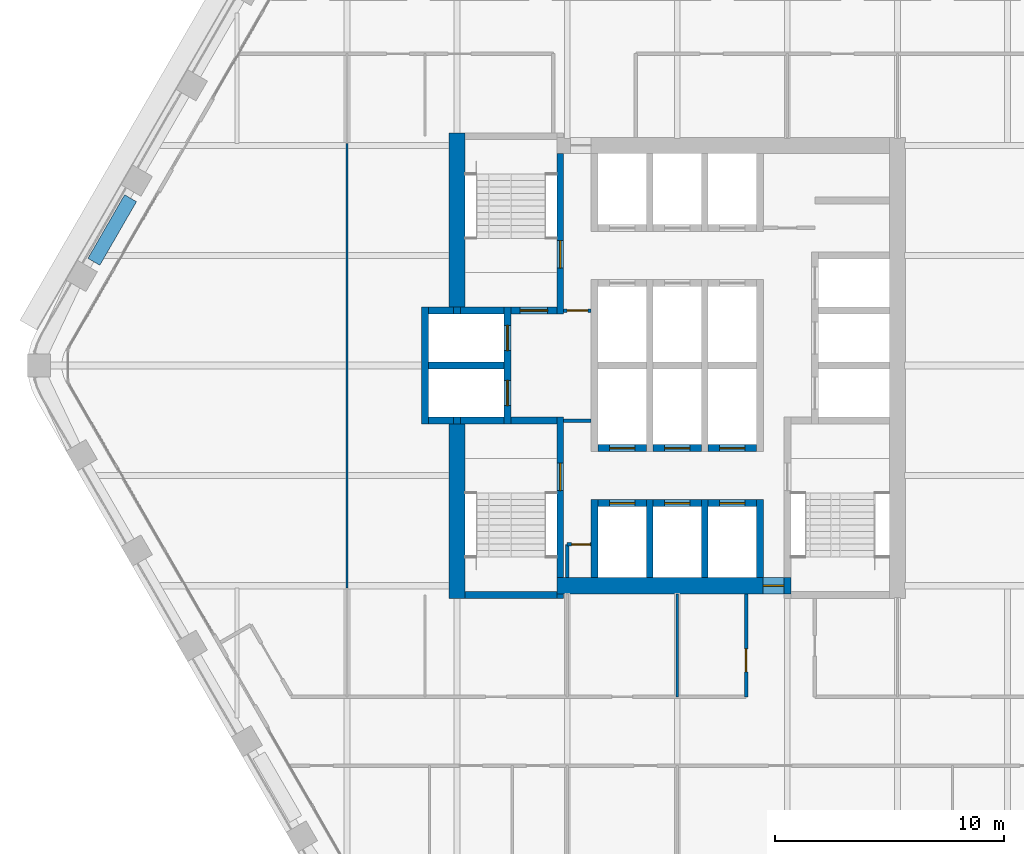
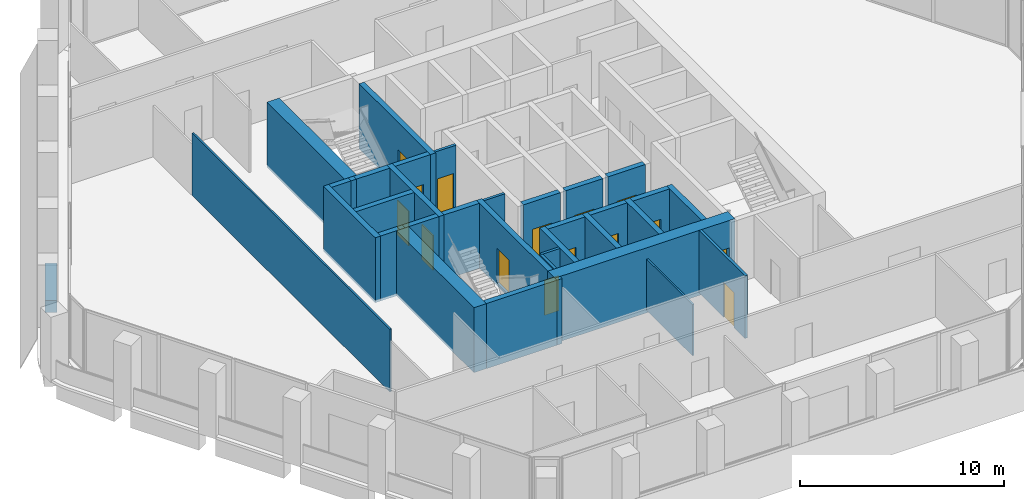
# One storey, part 9 of 15: 36 walls, 15 doors, 15 openings.
"""IFC4 building model written with IfcOpenShell, lengths in metres."""

from ifc_helpers import new_model, si_unit, direction, frame, frame_2d, origin, place, context, subcontext, project, spatial, rectangle, extrude, material, layer, layer_set, type_object, element, fill, save


model = new_model("IFC4")

# Units and contexts
model_context = context("Model", 3, precision=1e-05, world=origin(), true_north=direction((0.0, 1.0)))
body_context = subcontext(model_context, "Body", "Model", "MODEL_VIEW")
ifc_project = project(units=[si_unit("LENGTHUNIT", "METRE"), si_unit("AREAUNIT", "SQUARE_METRE"), si_unit("VOLUMEUNIT", "CUBIC_METRE"), si_unit("PLANEANGLEUNIT", "RADIAN"), si_unit("MASSUNIT", "GRAM", prefix="KILO")], contexts=[model_context])

# Site, building, storey
site_placement = place(None, origin())
site = spatial("IfcSite", under=ifc_project, at=site_placement, CompositionType="ELEMENT")
building_placement = place(site_placement, origin())
building = spatial("IfcBuilding", under=site, at=building_placement, Name="Kolab Exchange Tower", CompositionType="ELEMENT")
storey_placement = place(building_placement, frame((0.0, 0.0, 205.10009765625)))
storey = spatial("IfcBuildingStorey", under=building, at=storey_placement, Name="L44", CompositionType="ELEMENT", Elevation=205.10009765625)

# Wall, opening, door
ifc_material_1 = material(Name="Concrete C60/75", Category="concrete")
ifc_layer_1 = layer(ifc_material_1, 0.699951171875)
ifc_layer_set_1 = layer_set([ifc_layer_1], Name="Concrete C60/75")
wall_type_1 = type_object("IfcWallType", Name="CORE WALL 700 C60/75", PredefinedType="SHEAR", material=ifc_layer_set_1)
wall_1_placement = place(storey_placement, frame((-5.25, -9.60009765625, -0.150146484375), z_axis=(0.0, 0.0, 1.0), x_axis=(1.0, 0.0, 0.0)))
wall_1 = element("IfcWall", 1, at=wall_1_placement, inside=storey, type_object=wall_type_1, Name="wall/L44/core/002", PredefinedType="SHEAR", context=body_context, shape_type="SweptSolid", body=[
    extrude(rectangle(XDim=10.199951171875, YDim=0.699951171875, at=frame_2d((5.10009765625, 0.0))), origin(), (0.0, 0.0, 1.0), 3.900146484375),
])
opening_1_placement = place(wall_1_placement, frame((9.0, 0.0, 0.14990234375)))
opening_1 = element("IfcOpeningElement", 2, at=opening_1_placement, cuts=wall_1, Name="Opening D6-287", PredefinedType="OPENING", context=body_context, shape_type="SweptSolid", body=[
    extrude(rectangle(XDim=0.89990234375, YDim=2.10009765625, at=frame_2d((0.449951171875, 1.050048828125))), frame((0.0, 0.35986328125, 0.0), z_axis=(0.0, -1.0, 0.0), x_axis=(1.0, 0.0, 0.0)), (0.0, 0.0, 1.0), 0.719970703125),
])
ifc_material_2 = material(Name="Steel S235", Category="steel")
door_type_1 = type_object("IfcDoorType", Name="CORE DOOR 900 EI 120", OperationType="SINGLE_SWING_LEFT", PredefinedType="DOOR", material=ifc_material_2)
door_1_placement = place(opening_1_placement, origin())
door_1 = element("IfcDoor", 3, at=door_1_placement, inside=storey, type_object=door_type_1, Name="Core lobby door", OperationType="SINGLE_SWING_LEFT", OverallHeight=2.10009765625, OverallWidth=0.89990234375, PredefinedType="DOOR", context=body_context, shape_type="SweptSolid", body=[
    extrude(rectangle(XDim=0.89990234375, YDim=2.10009765625, at=frame_2d((0.449951171875, 1.050048828125))), frame((0.0, 0.02490234375, 0.0), z_axis=(0.0, -1.0, 0.0), x_axis=(1.0, 0.0, 0.0)), (0.0, 0.0, 1.0), 0.050048828125),
])
fill(opening_1, door_1)

# Walls
for number, where, z_axis, x_axis, name in (
    (4, (-9.60009765625, -10.14990234375, -0.150146484375), (0.0, 0.0, 1.0), (0.0, 1.0, 0.0), "wall/L44/core/034"),
    (5, (-9.60009765625, 2.550048828125, -0.150146484375), (0.0, 0.0, 1.0), (0.0, 1.0, 0.0), "wall/L44/core/037"),
):
    element("IfcWall", number, at=place(storey_placement, frame(where, z_axis=z_axis, x_axis=x_axis)), inside=storey, type_object=wall_type_1, Name=name, PredefinedType="SHEAR", context=body_context, shape_type="SweptSolid", body=[
        extrude(rectangle(XDim=7.599853515625, YDim=0.699951171875, at=frame_2d((3.7998046875, 0.0))), origin(), (0.0, 0.0, 1.0), 3.900146484375),
    ])

# Wall, opening, door
ifc_material_3 = material(Name="Concrete C50/60", Category="concrete")
ifc_layer_2 = layer(ifc_material_3, 0.300048828125)
ifc_layer_set_2 = layer_set([ifc_layer_2], Name="Concrete C50/60")
wall_type_2 = type_object("IfcWallType", Name="LIFT SHAFT WALL 300 C50/60", PredefinedType="STANDARD", material=ifc_layer_set_2)
wall_2_placement = place(storey_placement, frame((-3.449951171875, -6.0, -0.150146484375), z_axis=(0.0, 0.0, 1.0), x_axis=(1.0, 0.0, 0.0)))
wall_2 = element("IfcWall", 6, at=wall_2_placement, inside=storey, type_object=wall_type_2, Name="wall/L44/core/003", PredefinedType="STANDARD", context=body_context, shape_type="SweptSolid", body=[
    extrude(rectangle(XDim=2.099853515625, YDim=0.300048828125, at=frame_2d((1.0498046875, 0.0))), origin(), (0.0, 0.0, 1.0), 3.900146484375),
])
opening_2_placement = place(wall_2_placement, frame((0.5, 0.0, 0.14990234375)))
opening_2 = element("IfcOpeningElement", 7, at=opening_2_placement, cuts=wall_2, Name="Opening LD1-110", PredefinedType="OPENING", context=body_context, shape_type="SweptSolid", body=[
    extrude(rectangle(XDim=1.10009765625, YDim=2.10009765625, at=frame_2d((0.550048828125, 1.050048828125))), frame((0.0, 0.16015625, 0.0), z_axis=(0.0, -1.0, 0.0), x_axis=(1.0, 0.0, 0.0)), (0.0, 0.0, 1.0), 0.320068359375),
])
ifc_material_4 = material(Name="Stainless steel 316", Category="steel")
door_type_2 = type_object("IfcDoorType", Name="LANDING DOOR 1100 PASSENGER", OperationType="DOUBLE_DOOR_SLIDING", PredefinedType="DOOR", material=ifc_material_4)
door_2_placement = place(opening_2_placement, origin())
door_2 = element("IfcDoor", 8, at=door_2_placement, inside=storey, type_object=door_type_2, Name="Landing door HR10", OperationType="DOUBLE_DOOR_SLIDING", OverallHeight=2.10009765625, OverallWidth=1.10009765625, PredefinedType="DOOR", context=body_context, shape_type="SweptSolid", body=[
    extrude(rectangle(XDim=1.10009765625, YDim=2.10009765625, at=frame_2d((0.550048828125, 1.050048828125))), frame((0.0, 0.02490234375, 0.0), z_axis=(0.0, -1.0, 0.0), x_axis=(1.0, 0.0, 0.0)), (0.0, 0.0, 1.0), 0.050048828125),
])
fill(opening_2, door_2)

wall_3_placement = place(storey_placement, frame((-1.050048828125, -6.0, -0.150146484375), z_axis=(0.0, 0.0, 1.0), x_axis=(1.0, 0.0, 0.0)))
wall_3 = element("IfcWall", 9, at=wall_3_placement, inside=storey, type_object=wall_type_2, Name="wall/L44/core/004", PredefinedType="STANDARD", context=body_context, shape_type="SweptSolid", body=[
    extrude(rectangle(XDim=2.10009765625, YDim=0.300048828125, at=frame_2d((1.050048828125, 0.0))), origin(), (0.0, 0.0, 1.0), 3.900146484375),
])
opening_3_placement = place(wall_3_placement, frame((0.5, 0.0, 0.14990234375)))
opening_3 = element("IfcOpeningElement", 10, at=opening_3_placement, cuts=wall_3, Name="Opening LD1-111", PredefinedType="OPENING", context=body_context, shape_type="SweptSolid", body=[
    extrude(rectangle(XDim=1.10009765625, YDim=2.10009765625, at=frame_2d((0.550048828125, 1.050048828125))), frame((0.0, 0.16015625, 0.0), z_axis=(0.0, -1.0, 0.0), x_axis=(1.0, 0.0, 0.0)), (0.0, 0.0, 1.0), 0.320068359375),
])
door_3_placement = place(opening_3_placement, origin())
door_3 = element("IfcDoor", 11, at=door_3_placement, inside=storey, type_object=door_type_2, Name="Landing door HR11", OperationType="DOUBLE_DOOR_SLIDING", OverallHeight=2.10009765625, OverallWidth=1.10009765625, PredefinedType="DOOR", context=body_context, shape_type="SweptSolid", body=[
    extrude(rectangle(XDim=1.10009765625, YDim=2.10009765625, at=frame_2d((0.550048828125, 1.050048828125))), frame((0.0, 0.02490234375, 0.0), z_axis=(0.0, -1.0, 0.0), x_axis=(1.0, 0.0, 0.0)), (0.0, 0.0, 1.0), 0.050048828125),
])
fill(opening_3, door_3)

wall_4_placement = place(storey_placement, frame((1.35009765625, -6.0, -0.150146484375), z_axis=(0.0, 0.0, 1.0), x_axis=(1.0, 0.0, 0.0)))
wall_4 = element("IfcWall", 12, at=wall_4_placement, inside=storey, type_object=wall_type_2, Name="wall/L44/core/005", PredefinedType="STANDARD", context=body_context, shape_type="SweptSolid", body=[
    extrude(rectangle(XDim=2.099853515625, YDim=0.300048828125, at=frame_2d((1.0498046875, 0.0))), origin(), (0.0, 0.0, 1.0), 3.900146484375),
])
opening_4_placement = place(wall_4_placement, frame((0.5, 0.0, 0.14990234375)))
opening_4 = element("IfcOpeningElement", 13, at=opening_4_placement, cuts=wall_4, Name="Opening LD1-112", PredefinedType="OPENING", context=body_context, shape_type="SweptSolid", body=[
    extrude(rectangle(XDim=1.10009765625, YDim=2.10009765625, at=frame_2d((0.550048828125, 1.050048828125))), frame((0.0, 0.16015625, 0.0), z_axis=(0.0, -1.0, 0.0), x_axis=(1.0, 0.0, 0.0)), (0.0, 0.0, 1.0), 0.320068359375),
])
door_4_placement = place(opening_4_placement, origin())
door_4 = element("IfcDoor", 14, at=door_4_placement, inside=storey, type_object=door_type_2, Name="Landing door HR12", OperationType="DOUBLE_DOOR_SLIDING", OverallHeight=2.10009765625, OverallWidth=1.10009765625, PredefinedType="DOOR", context=body_context, shape_type="SweptSolid", body=[
    extrude(rectangle(XDim=1.10009765625, YDim=2.10009765625, at=frame_2d((0.550048828125, 1.050048828125))), frame((0.0, 0.02490234375, 0.0), z_axis=(0.0, -1.0, 0.0), x_axis=(1.0, 0.0, 0.0)), (0.0, 0.0, 1.0), 0.050048828125),
])
fill(opening_4, door_4)

wall_5_placement = place(storey_placement, frame((-3.449951171875, -3.60009765625, -0.150146484375), z_axis=(0.0, 0.0, 1.0), x_axis=(1.0, 0.0, 0.0)))
wall_5 = element("IfcWall", 15, at=wall_5_placement, inside=storey, type_object=wall_type_2, Name="wall/L44/core/006", PredefinedType="STANDARD", context=body_context, shape_type="SweptSolid", body=[
    extrude(rectangle(XDim=2.099853515625, YDim=0.300048828125, at=frame_2d((1.0498046875, 0.0))), origin(), (0.0, 0.0, 1.0), 3.900146484375),
])
opening_5_placement = place(wall_5_placement, frame((0.5, 0.0, 0.14990234375)))
opening_5 = element("IfcOpeningElement", 16, at=opening_5_placement, cuts=wall_5, Name="Opening LD1-118", PredefinedType="OPENING", context=body_context, shape_type="SweptSolid", body=[
    extrude(rectangle(XDim=1.10009765625, YDim=2.10009765625, at=frame_2d((0.550048828125, 1.050048828125))), frame((0.0, 0.16015625, 0.0), z_axis=(0.0, -1.0, 0.0), x_axis=(1.0, 0.0, 0.0)), (0.0, 0.0, 1.0), 0.320068359375),
])
door_5_placement = place(opening_5_placement, origin())
door_5 = element("IfcDoor", 17, at=door_5_placement, inside=storey, type_object=door_type_2, Name="Landing door HR7", OperationType="DOUBLE_DOOR_SLIDING", OverallHeight=2.10009765625, OverallWidth=1.10009765625, PredefinedType="DOOR", context=body_context, shape_type="SweptSolid", body=[
    extrude(rectangle(XDim=1.10009765625, YDim=2.10009765625, at=frame_2d((0.550048828125, 1.050048828125))), frame((0.0, 0.02490234375, 0.0), z_axis=(0.0, -1.0, 0.0), x_axis=(1.0, 0.0, 0.0)), (0.0, 0.0, 1.0), 0.050048828125),
])
fill(opening_5, door_5)

wall_6_placement = place(storey_placement, frame((-1.050048828125, -3.60009765625, -0.150146484375), z_axis=(0.0, 0.0, 1.0), x_axis=(1.0, 0.0, 0.0)))
wall_6 = element("IfcWall", 18, at=wall_6_placement, inside=storey, type_object=wall_type_2, Name="wall/L44/core/007", PredefinedType="STANDARD", context=body_context, shape_type="SweptSolid", body=[
    extrude(rectangle(XDim=2.10009765625, YDim=0.300048828125, at=frame_2d((1.050048828125, 0.0))), origin(), (0.0, 0.0, 1.0), 3.900146484375),
])
opening_6_placement = place(wall_6_placement, frame((0.5, 0.0, 0.14990234375)))
opening_6 = element("IfcOpeningElement", 19, at=opening_6_placement, cuts=wall_6, Name="Opening LD1-119", PredefinedType="OPENING", context=body_context, shape_type="SweptSolid", body=[
    extrude(rectangle(XDim=1.10009765625, YDim=2.10009765625, at=frame_2d((0.550048828125, 1.050048828125))), frame((0.0, 0.16015625, 0.0), z_axis=(0.0, -1.0, 0.0), x_axis=(1.0, 0.0, 0.0)), (0.0, 0.0, 1.0), 0.320068359375),
])
door_6_placement = place(opening_6_placement, origin())
door_6 = element("IfcDoor", 20, at=door_6_placement, inside=storey, type_object=door_type_2, Name="Landing door HR8", OperationType="DOUBLE_DOOR_SLIDING", OverallHeight=2.10009765625, OverallWidth=1.10009765625, PredefinedType="DOOR", context=body_context, shape_type="SweptSolid", body=[
    extrude(rectangle(XDim=1.10009765625, YDim=2.10009765625, at=frame_2d((0.550048828125, 1.050048828125))), frame((0.0, 0.02490234375, 0.0), z_axis=(0.0, -1.0, 0.0), x_axis=(1.0, 0.0, 0.0)), (0.0, 0.0, 1.0), 0.050048828125),
])
fill(opening_6, door_6)

wall_7_placement = place(storey_placement, frame((1.35009765625, -3.60009765625, -0.150146484375), z_axis=(0.0, 0.0, 1.0), x_axis=(1.0, 0.0, 0.0)))
wall_7 = element("IfcWall", 21, at=wall_7_placement, inside=storey, type_object=wall_type_2, Name="wall/L44/core/008", PredefinedType="STANDARD", context=body_context, shape_type="SweptSolid", body=[
    extrude(rectangle(XDim=2.099853515625, YDim=0.300048828125, at=frame_2d((1.0498046875, 0.0))), origin(), (0.0, 0.0, 1.0), 3.900146484375),
])
opening_7_placement = place(wall_7_placement, frame((0.5, 0.0, 0.14990234375)))
opening_7 = element("IfcOpeningElement", 22, at=opening_7_placement, cuts=wall_7, Name="Opening LD1-120", PredefinedType="OPENING", context=body_context, shape_type="SweptSolid", body=[
    extrude(rectangle(XDim=1.10009765625, YDim=2.10009765625, at=frame_2d((0.550048828125, 1.050048828125))), frame((0.0, 0.16015625, 0.0), z_axis=(0.0, -1.0, 0.0), x_axis=(1.0, 0.0, 0.0)), (0.0, 0.0, 1.0), 0.320068359375),
])
door_7_placement = place(opening_7_placement, origin())
door_7 = element("IfcDoor", 23, at=door_7_placement, inside=storey, type_object=door_type_2, Name="Landing door HR9", OperationType="DOUBLE_DOOR_SLIDING", OverallHeight=2.10009765625, OverallWidth=1.10009765625, PredefinedType="DOOR", context=body_context, shape_type="SweptSolid", body=[
    extrude(rectangle(XDim=1.10009765625, YDim=2.10009765625, at=frame_2d((0.550048828125, 1.050048828125))), frame((0.0, 0.02490234375, 0.0), z_axis=(0.0, -1.0, 0.0), x_axis=(1.0, 0.0, 0.0)), (0.0, 0.0, 1.0), 0.050048828125),
])
fill(opening_7, door_7)

# Walls
wall_8_placement = place(storey_placement, frame((-10.85009765625, -2.39990234375, -0.150146484375), z_axis=(0.0, 0.0, 1.0), x_axis=(1.0, 0.0, 0.0)))
element("IfcWall", 24, at=wall_8_placement, inside=storey, type_object=wall_type_2, Name="wall/L44/core/009", PredefinedType="STANDARD", context=body_context, shape_type="SweptSolid", body=[
    extrude(rectangle(XDim=1.10009765625, YDim=0.300048828125, at=frame_2d((0.550048828125, 0.0))), origin(), (0.0, 0.0, 1.0), 3.900146484375),
])
wall_9_placement = place(storey_placement, frame((-10.85009765625, 0.0, -0.150146484375), z_axis=(0.0, 0.0, 1.0), x_axis=(1.0, 0.0, 0.0)))
element("IfcWall", 25, at=wall_9_placement, inside=storey, type_object=wall_type_2, Name="wall/L44/core/014", PredefinedType="STANDARD", context=body_context, shape_type="SweptSolid", body=[
    extrude(rectangle(XDim=3.300048828125, YDim=0.300048828125, at=frame_2d((1.64990234375, 0.0))), origin(), (0.0, 0.0, 1.0), 3.900146484375),
])
wall_10_placement = place(storey_placement, frame((-10.85009765625, 2.39990234375, -0.150146484375), z_axis=(0.0, 0.0, 1.0), x_axis=(1.0, 0.0, 0.0)))
element("IfcWall", 26, at=wall_10_placement, inside=storey, type_object=wall_type_2, Name="wall/L44/core/019", PredefinedType="STANDARD", context=body_context, shape_type="SweptSolid", body=[
    extrude(rectangle(XDim=1.10009765625, YDim=0.300048828125, at=frame_2d((0.550048828125, 0.0))), origin(), (0.0, 0.0, 1.0), 3.900146484375),
])
wall_11_placement = place(storey_placement, frame((-11.0, -2.550048828125, -0.150146484375), z_axis=(0.0, 0.0, 1.0), x_axis=(0.0, 1.0, 0.0)))
element("IfcWall", 27, at=wall_11_placement, inside=storey, type_object=wall_type_2, Name="wall/L44/core/033", PredefinedType="STANDARD", context=body_context, shape_type="SweptSolid", body=[
    extrude(rectangle(XDim=5.10009765625, YDim=0.300048828125, at=frame_2d((2.550048828125, 0.0))), origin(), (0.0, 0.0, 1.0), 3.900146484375),
])

# Wall, openings, doors
wall_12_placement = place(storey_placement, frame((-7.39990234375, -2.550048828125, -0.150146484375), z_axis=(0.0, 0.0, 1.0), x_axis=(0.0, 1.0, 0.0)))
wall_12 = element("IfcWall", 28, at=wall_12_placement, inside=storey, type_object=wall_type_2, Name="wall/L44/core/038", PredefinedType="STANDARD", context=body_context, shape_type="SweptSolid", body=[
    extrude(rectangle(XDim=5.10009765625, YDim=0.300048828125, at=frame_2d((2.550048828125, 0.0))), origin(), (0.0, 0.0, 1.0), 3.900146484375),
])
opening_8_placement = place(wall_12_placement, frame((0.800048828125, 0.0, 0.14990234375)))
opening_8 = element("IfcOpeningElement", 29, at=opening_8_placement, cuts=wall_12, Name="Opening LD2-025", PredefinedType="OPENING", context=body_context, shape_type="SweptSolid", body=[
    extrude(rectangle(XDim=1.10009765625, YDim=2.10009765625, at=frame_2d((0.550048828125, 1.050048828125))), frame((0.0, 0.16015625, 0.0), z_axis=(0.0, -1.0, 0.0), x_axis=(1.0, 0.0, 0.0)), (0.0, 0.0, 1.0), 0.320068359375),
])
opening_9_placement = place(wall_12_placement, frame((3.199951171875, 0.0, 0.14990234375)))
opening_9 = element("IfcOpeningElement", 30, at=opening_9_placement, cuts=wall_12, Name="Opening LD2-026", PredefinedType="OPENING", context=body_context, shape_type="SweptSolid", body=[
    extrude(rectangle(XDim=1.10009765625, YDim=2.10009765625, at=frame_2d((0.550048828125, 1.050048828125))), frame((0.0, 0.16015625, 0.0), z_axis=(0.0, -1.0, 0.0), x_axis=(1.0, 0.0, 0.0)), (0.0, 0.0, 1.0), 0.320068359375),
])
door_type_3 = type_object("IfcDoorType", Name="LANDING DOOR 1100 FIREFIGHTING", OperationType="DOUBLE_DOOR_SLIDING", PredefinedType="DOOR", material=ifc_material_4)
door_8_placement = place(opening_8_placement, origin())
door_8 = element("IfcDoor", 31, at=door_8_placement, inside=storey, type_object=door_type_3, Name="Landing door FF1", OperationType="DOUBLE_DOOR_SLIDING", OverallHeight=2.10009765625, OverallWidth=1.10009765625, PredefinedType="DOOR", context=body_context, shape_type="SweptSolid", body=[
    extrude(rectangle(XDim=1.10009765625, YDim=2.10009765625, at=frame_2d((0.550048828125, 1.050048828125))), frame((0.0, 0.02490234375, 0.0), z_axis=(0.0, -1.0, 0.0), x_axis=(1.0, 0.0, 0.0)), (0.0, 0.0, 1.0), 0.050048828125),
])
fill(opening_8, door_8)
door_9_placement = place(opening_9_placement, origin())
door_9 = element("IfcDoor", 32, at=door_9_placement, inside=storey, type_object=door_type_3, Name="Landing door FF2", OperationType="DOUBLE_DOOR_SLIDING", OverallHeight=2.10009765625, OverallWidth=1.10009765625, PredefinedType="DOOR", context=body_context, shape_type="SweptSolid", body=[
    extrude(rectangle(XDim=1.10009765625, YDim=2.10009765625, at=frame_2d((0.550048828125, 1.050048828125))), frame((0.0, 0.02490234375, 0.0), z_axis=(0.0, -1.0, 0.0), x_axis=(1.0, 0.0, 0.0)), (0.0, 0.0, 1.0), 0.050048828125),
])
fill(opening_9, door_9)

# Walls
for number, where, z_axis, x_axis, name in (
    (33, (-3.60009765625, -9.25, -0.150146484375), (0.0, 0.0, 1.0), (0.0, 1.0, 0.0), "wall/L44/core/043"),
    (34, (-1.199951171875, -9.25, -0.150146484375), (0.0, 0.0, 1.0), (0.0, 1.0, 0.0), "wall/L44/core/046"),
    (35, (1.199951171875, -9.25, -0.150146484375), (0.0, 0.0, 1.0), (0.0, 1.0, 0.0), "wall/L44/core/049"),
    (36, (3.60009765625, -9.25, -0.150146484375), (0.0, 0.0, 1.0), (0.0, 1.0, 0.0), "wall/L44/core/052"),
):
    element("IfcWall", number, at=place(storey_placement, frame(where, z_axis=z_axis, x_axis=x_axis)), inside=storey, type_object=wall_type_2, Name=name, PredefinedType="STANDARD", context=body_context, shape_type="SweptSolid", body=[
        extrude(rectangle(XDim=3.39990234375, YDim=0.300048828125, at=frame_2d((1.699951171875, 0.0))), origin(), (0.0, 0.0, 1.0), 3.900146484375),
    ])
ifc_material_5 = material(Name="Gypsum board", Category="gypsum")
ifc_layer_3 = layer(ifc_material_5, 0.10009765625)
ifc_layer_set_3 = layer_set([ifc_layer_3], Name="Gypsum board")
wall_type_3 = type_object("IfcWallType", Name="PARTITION 100", PredefinedType="PARTITIONING", material=ifc_layer_set_3)
wall_13_placement = place(storey_placement, frame((0.0, -14.44140625, 0.0), z_axis=(0.0, 0.0, 1.0), x_axis=(0.0, 1.0, 0.0)))
element("IfcWall", 37, at=wall_13_placement, inside=storey, type_object=wall_type_3, Name="Partition 010", PredefinedType="PARTITIONING", context=body_context, shape_type="SweptSolid", body=[
    extrude(rectangle(XDim=4.491455078125, YDim=0.10009765625, at=frame_2d((2.24560546875, 0.0))), origin(), (0.0, 0.0, 1.0), 3.06591796875),
])
wall_14_placement = place(storey_placement, frame((-14.39990234375, -9.693603515625, 0.0), z_axis=(0.0, 0.0, 1.0), x_axis=(0.0, 1.0, 0.0)))
element("IfcWall", 38, at=wall_14_placement, inside=storey, type_object=wall_type_3, Name="Partition 022", PredefinedType="PARTITIONING", context=body_context, shape_type="SweptSolid", body=[
    extrude(rectangle(XDim=19.38720703125, YDim=0.10009765625, at=frame_2d((9.693603515625, 0.0))), origin(), (0.0, 0.0, 1.0), 3.75),
])

# Wall, opening, door
ifc_layer_4 = layer(ifc_material_5, 0.14990234375)
ifc_layer_set_4 = layer_set([ifc_layer_4], Name="Gypsum board")
wall_type_4 = type_object("IfcWallType", Name="PARTITION 150 FIRE-RATED", PredefinedType="PARTITIONING", material=ifc_layer_set_4)
wall_15_placement = place(storey_placement, frame((3.0, -14.44140625, 0.0), z_axis=(0.0, 0.0, 1.0), x_axis=(0.0, 1.0, 0.0)))
wall_15 = element("IfcWall", 39, at=wall_15_placement, inside=storey, type_object=wall_type_4, Name="Partition 008", PredefinedType="PARTITIONING", context=body_context, shape_type="SweptSolid", body=[
    extrude(rectangle(XDim=4.491455078125, YDim=0.14990234375, at=frame_2d((2.24560546875, 0.0))), origin(), (0.0, 0.0, 1.0), 3.75),
])
opening_10_placement = place(wall_15_placement, frame((1.08544921875, 0.0, 0.0)))
opening_10 = element("IfcOpeningElement", 40, at=opening_10_placement, cuts=wall_15, Name="Opening D1-571", PredefinedType="OPENING", context=body_context, shape_type="SweptSolid", body=[
    extrude(rectangle(XDim=1.0, YDim=2.10009765625, at=frame_2d((0.5, 1.050048828125))), frame((0.0, 0.0849609375, 0.0), z_axis=(0.0, -1.0, 0.0), x_axis=(1.0, 0.0, 0.0)), (0.0, 0.0, 1.0), 0.169921875),
])
door_type_4 = type_object("IfcDoorType", Name="FLUSH DOOR 1000 FD60", OperationType="SINGLE_SWING_LEFT", PredefinedType="DOOR", material=ifc_material_2)
door_10_placement = place(opening_10_placement, origin())
door_10 = element("IfcDoor", 41, at=door_10_placement, inside=storey, type_object=door_type_4, Name="Door L44-037", OperationType="SINGLE_SWING_LEFT", OverallHeight=2.10009765625, OverallWidth=1.0, PredefinedType="DOOR", context=body_context, shape_type="SweptSolid", body=[
    extrude(rectangle(XDim=1.0, YDim=2.10009765625, at=frame_2d((0.5, 1.050048828125))), frame((0.0, 0.02490234375, 0.0), z_axis=(0.0, -1.0, 0.0), x_axis=(1.0, 0.0, 0.0)), (0.0, 0.0, 1.0), 0.050048828125),
])
fill(opening_10, door_10)

# Wall
wall_16_placement = place(storey_placement, frame((-4.800048828125, -9.25, 0.0), z_axis=(0.0, 0.0, 1.0), x_axis=(0.0, 1.0, 0.0)))
element("IfcWall", 42, at=wall_16_placement, inside=storey, type_object=wall_type_4, Name="Partition 015", PredefinedType="PARTITIONING", context=body_context, shape_type="SweptSolid", body=[
    extrude(rectangle(XDim=1.449951171875, YDim=0.14990234375, at=frame_2d((0.72509765625, 0.0))), origin(), (0.0, 0.0, 1.0), 3.75),
])

# Wall, opening, door
wall_17_placement = place(storey_placement, frame((-4.800048828125, -7.800048828125, 0.0), z_axis=(0.0, 0.0, 1.0), x_axis=(1.0, 0.0, 0.0)))
wall_17 = element("IfcWall", 43, at=wall_17_placement, inside=storey, type_object=wall_type_4, Name="Partition 032", PredefinedType="PARTITIONING", context=body_context, shape_type="SweptSolid", body=[
    extrude(rectangle(XDim=1.050048828125, YDim=0.14990234375, at=frame_2d((0.52490234375, 0.0))), origin(), (0.0, 0.0, 1.0), 3.75),
])
opening_11_placement = place(wall_17_placement, frame((0.199951171875, 0.0, 0.0)))
opening_11 = element("IfcOpeningElement", 44, at=opening_11_placement, cuts=wall_17, Name="Opening D7-031", PredefinedType="OPENING", context=body_context, shape_type="SweptSolid", body=[
    extrude(rectangle(XDim=0.800048828125, YDim=2.10009765625, at=frame_2d((0.39990234375, 1.050048828125))), frame((0.0, 0.0849609375, 0.0), z_axis=(0.0, -1.0, 0.0), x_axis=(1.0, 0.0, 0.0)), (0.0, 0.0, 1.0), 0.169921875),
])
door_type_5 = type_object("IfcDoorType", Name="FLUSH DOOR 800 FD60", OperationType="SINGLE_SWING_LEFT", PredefinedType="DOOR", material=ifc_material_2)
door_11_placement = place(opening_11_placement, frame((0.800048828125, 0.0, 0.0), z_axis=(0.0, 0.0, 1.0), x_axis=(-1.0, 0.0, 0.0)))
door_11 = element("IfcDoor", 45, at=door_11_placement, inside=storey, type_object=door_type_5, Name="Door L44-024", OperationType="SINGLE_SWING_RIGHT", OverallHeight=2.10009765625, OverallWidth=0.800048828125, PredefinedType="DOOR", context=body_context, shape_type="SweptSolid", body=[
    extrude(rectangle(XDim=0.800048828125, YDim=2.10009765625, at=frame_2d((0.39990234375, 1.050048828125))), frame((0.0, 0.02490234375, 0.0), z_axis=(0.0, -1.0, 0.0), x_axis=(1.0, 0.0, 0.0)), (0.0, 0.0, 1.0), 0.050048828125),
])
fill(opening_11, door_11)

wall_18_placement = place(storey_placement, frame((-4.949951171875, 2.39990234375, 0.0), z_axis=(0.0, 0.0, 1.0), x_axis=(1.0, 0.0, 0.0)))
wall_18 = element("IfcWall", 46, at=wall_18_placement, inside=storey, type_object=wall_type_4, Name="Fire partition", PredefinedType="PARTITIONING", context=body_context, shape_type="SweptSolid", body=[
    extrude(rectangle(XDim=1.199951171875, YDim=0.14990234375, at=frame_2d((0.60009765625, 0.0))), origin(), (0.0, 0.0, 1.0), 3.75),
])
opening_12_placement = place(wall_18_placement, frame((0.14990234375, 0.0, 0.0)))
opening_12 = element("IfcOpeningElement", 47, at=opening_12_placement, cuts=wall_18, Name="Opening D6-288", PredefinedType="OPENING", context=body_context, shape_type="SweptSolid", body=[
    extrude(rectangle(XDim=0.89990234375, YDim=2.10009765625, at=frame_2d((0.449951171875, 1.050048828125))), frame((0.0, 0.0849609375, 0.0), z_axis=(0.0, -1.0, 0.0), x_axis=(1.0, 0.0, 0.0)), (0.0, 0.0, 1.0), 0.169921875),
])
door_12_placement = place(opening_12_placement, frame((0.89990234375, 0.0, 0.0), z_axis=(0.0, 0.0, 1.0), x_axis=(-1.0, 0.0, 0.0)))
door_12 = element("IfcDoor", 48, at=door_12_placement, inside=storey, type_object=door_type_1, Name="Firefighting lobby door", OperationType="SINGLE_SWING_RIGHT", OverallHeight=2.10009765625, OverallWidth=0.89990234375, PredefinedType="DOOR", context=body_context, shape_type="SweptSolid", body=[
    extrude(rectangle(XDim=0.89990234375, YDim=2.10009765625, at=frame_2d((0.449951171875, 1.050048828125))), frame((0.0, 0.02490234375, 0.0), z_axis=(0.0, -1.0, 0.0), x_axis=(1.0, 0.0, 0.0)), (0.0, 0.0, 1.0), 0.050048828125),
])
fill(opening_12, door_12)

# Walls
wall_19_placement = place(storey_placement, frame((-4.949951171875, -2.39990234375, 0.0), z_axis=(0.0, 0.0, 1.0), x_axis=(1.0, 0.0, 0.0)))
element("IfcWall", 49, at=wall_19_placement, inside=storey, type_object=wall_type_4, Name="Fire partition", PredefinedType="PARTITIONING", context=body_context, shape_type="SweptSolid", body=[
    extrude(rectangle(XDim=1.199951171875, YDim=0.14990234375, at=frame_2d((0.60009765625, 0.0))), origin(), (0.0, 0.0, 1.0), 3.75),
])
ifc_material_6 = material(Name="Granite facing", Category="masonry")
ifc_layer_5 = layer(ifc_material_6, 0.0400390625)
ifc_material_7 = material(Name="Concrete C40/50 precast", Category="concrete")
ifc_layer_6 = layer(ifc_material_7, 0.56005859375)
ifc_layer_set_5 = layer_set([ifc_layer_5, ifc_layer_6], Name="Concrete C40/50 precast")
wall_type_5 = type_object("IfcWallType", Name="PLANTER BOX 600 X 700 SOIL DEPTH 550", PredefinedType="USERDEFINED", material=ifc_layer_set_5)
wall_20_placement = place(storey_placement, frame((-25.43701171875, 4.524658203125, 0.0), z_axis=(0.0, 0.0, 1.0), x_axis=(0.499938187974, 0.866061088033, 0.0)))
element("IfcWall", 50, at=wall_20_placement, inside=storey, type_object=wall_type_5, Name="Planter", ObjectType="PLANTER", PredefinedType="USERDEFINED", context=body_context, shape_type="SweptSolid", body=[
    extrude(rectangle(XDim=3.2001953125, YDim=0.60009765625, at=frame_2d((1.60009765625, 0.0))), origin(), (0.0, 0.0, 1.0), 0.699951171875),
])
ifc_layer_7 = layer(ifc_material_3, 0.300048828125)
ifc_layer_set_6 = layer_set([ifc_layer_7], Name="Concrete C50/60")
wall_type_6 = type_object("IfcWallType", Name="STAIR ENCLOSURE WALL 300 C50/60", PredefinedType="STANDARD", material=ifc_layer_set_6)
wall_21_placement = place(storey_placement, frame((-9.25, -10.0, -0.150146484375), z_axis=(0.0, 0.0, 1.0), x_axis=(1.0, 0.0, 0.0)))
element("IfcWall", 51, at=wall_21_placement, inside=storey, type_object=wall_type_6, Name="wall/L44/core/000", PredefinedType="STANDARD", context=body_context, shape_type="SweptSolid", body=[
    extrude(rectangle(XDim=4.0, YDim=0.300048828125, at=frame_2d((2.0, 0.0))), origin(), (0.0, 0.0, 1.0), 3.900146484375),
])
wall_22_placement = place(storey_placement, frame((-9.449951171875, -2.39990234375, -0.150146484375), z_axis=(0.0, 0.0, 1.0), x_axis=(1.0, 0.0, 0.0)))
element("IfcWall", 52, at=wall_22_placement, inside=storey, type_object=wall_type_6, Name="wall/L44/core/010", PredefinedType="STANDARD", context=body_context, shape_type="SweptSolid", body=[
    extrude(rectangle(XDim=1.89990234375, YDim=0.300048828125, at=frame_2d((0.949951171875, 0.0))), origin(), (0.0, 0.0, 1.0), 3.900146484375),
])
wall_23_placement = place(storey_placement, frame((-7.25, -2.39990234375, -0.150146484375), z_axis=(0.0, 0.0, 1.0), x_axis=(1.0, 0.0, 0.0)))
element("IfcWall", 53, at=wall_23_placement, inside=storey, type_object=wall_type_6, Name="wall/L44/core/011", PredefinedType="STANDARD", context=body_context, shape_type="SweptSolid", body=[
    extrude(rectangle(XDim=2.0, YDim=0.300048828125, at=frame_2d((1.0, 0.0))), origin(), (0.0, 0.0, 1.0), 3.900146484375),
])
wall_24_placement = place(storey_placement, frame((-9.449951171875, 2.39990234375, -0.150146484375), z_axis=(0.0, 0.0, 1.0), x_axis=(1.0, 0.0, 0.0)))
element("IfcWall", 54, at=wall_24_placement, inside=storey, type_object=wall_type_6, Name="wall/L44/core/020", PredefinedType="STANDARD", context=body_context, shape_type="SweptSolid", body=[
    extrude(rectangle(XDim=1.89990234375, YDim=0.300048828125, at=frame_2d((0.949951171875, 0.0))), origin(), (0.0, 0.0, 1.0), 3.900146484375),
])

# Wall, opening, door
wall_25_placement = place(storey_placement, frame((-7.25, 2.39990234375, -0.150146484375), z_axis=(0.0, 0.0, 1.0), x_axis=(1.0, 0.0, 0.0)))
wall_25 = element("IfcWall", 55, at=wall_25_placement, inside=storey, type_object=wall_type_6, Name="wall/L44/core/021", PredefinedType="STANDARD", context=body_context, shape_type="SweptSolid", body=[
    extrude(rectangle(XDim=2.0, YDim=0.300048828125, at=frame_2d((1.0, 0.0))), origin(), (0.0, 0.0, 1.0), 3.900146484375),
])
opening_13_placement = place(wall_25_placement, frame((0.39990234375, 0.0, 0.14990234375)))
opening_13 = element("IfcOpeningElement", 56, at=opening_13_placement, cuts=wall_25, Name="Opening D4-065", PredefinedType="OPENING", context=body_context, shape_type="SweptSolid", body=[
    extrude(rectangle(XDim=1.199951171875, YDim=2.10009765625, at=frame_2d((0.60009765625, 1.050048828125))), frame((0.0, 0.16015625, 0.0), z_axis=(0.0, -1.0, 0.0), x_axis=(1.0, 0.0, 0.0)), (0.0, 0.0, 1.0), 0.320068359375),
])
door_type_6 = type_object("IfcDoorType", Name="STAIR DOOR 1200 EI 120", OperationType="SINGLE_SWING_LEFT", PredefinedType="DOOR", material=ifc_material_2)
door_13_placement = place(opening_13_placement, origin())
door_13 = element("IfcDoor", 57, at=door_13_placement, inside=storey, type_object=door_type_6, Name="Stair 1 door", OperationType="SINGLE_SWING_RIGHT", OverallHeight=2.10009765625, OverallWidth=1.199951171875, PredefinedType="DOOR", context=body_context, shape_type="SweptSolid", body=[
    extrude(rectangle(XDim=1.199951171875, YDim=2.10009765625, at=frame_2d((0.60009765625, 1.050048828125))), frame((0.0, 0.02490234375, 0.0), z_axis=(0.0, -1.0, 0.0), x_axis=(1.0, 0.0, 0.0)), (0.0, 0.0, 1.0), 0.050048828125),
])
fill(opening_13, door_13)

# Walls
for number, where, z_axis, x_axis, name in (
    (58, (-9.60009765625, -2.550048828125, -0.150146484375), (0.0, 0.0, 1.0), (0.0, 1.0, 0.0), "wall/L44/core/035"),
    (59, (-9.60009765625, 2.25, -0.150146484375), (0.0, 0.0, 1.0), (0.0, 1.0, 0.0), "wall/L44/core/036"),
):
    element("IfcWall", number, at=place(storey_placement, frame(where, z_axis=z_axis, x_axis=x_axis)), inside=storey, type_object=wall_type_6, Name=name, PredefinedType="STANDARD", context=body_context, shape_type="SweptSolid", body=[
        extrude(rectangle(XDim=0.300048828125, YDim=0.300048828125, at=frame_2d((0.14990234375, 0.0))), origin(), (0.0, 0.0, 1.0), 3.900146484375),
    ])
wall_26_placement = place(storey_placement, frame((-5.10009765625, -10.14990234375, -0.150146484375), z_axis=(0.0, 0.0, 1.0), x_axis=(0.0, 1.0, 0.0)))
element("IfcWall", 60, at=wall_26_placement, inside=storey, type_object=wall_type_6, Name="wall/L44/core/039", PredefinedType="STANDARD", context=body_context, shape_type="SweptSolid", body=[
    extrude(rectangle(XDim=0.199951171875, YDim=0.300048828125, at=frame_2d((0.10009765625, 0.0))), origin(), (0.0, 0.0, 1.0), 3.900146484375),
])

# Wall, opening, door
wall_27_placement = place(storey_placement, frame((-5.10009765625, -9.25, -0.150146484375), z_axis=(0.0, 0.0, 1.0), x_axis=(0.0, 1.0, 0.0)))
wall_27 = element("IfcWall", 61, at=wall_27_placement, inside=storey, type_object=wall_type_6, Name="wall/L44/core/040", PredefinedType="STANDARD", context=body_context, shape_type="SweptSolid", body=[
    extrude(rectangle(XDim=7.0, YDim=0.300048828125, at=frame_2d((3.5, 0.0))), origin(), (0.0, 0.0, 1.0), 3.900146484375),
])
opening_14_placement = place(wall_27_placement, frame((3.800048828125, 0.0, 0.14990234375)))
opening_14 = element("IfcOpeningElement", 62, at=opening_14_placement, cuts=wall_27, Name="Opening D4-068", PredefinedType="OPENING", context=body_context, shape_type="SweptSolid", body=[
    extrude(rectangle(XDim=1.199951171875, YDim=2.10009765625, at=frame_2d((0.60009765625, 1.050048828125))), frame((0.0, 0.16015625, 0.0), z_axis=(0.0, -1.0, 0.0), x_axis=(1.0, 0.0, 0.0)), (0.0, 0.0, 1.0), 0.320068359375),
])
door_14_placement = place(opening_14_placement, origin())
door_14 = element("IfcDoor", 63, at=door_14_placement, inside=storey, type_object=door_type_6, Name="Stair 3 door", OperationType="SINGLE_SWING_RIGHT", OverallHeight=2.10009765625, OverallWidth=1.199951171875, PredefinedType="DOOR", context=body_context, shape_type="SweptSolid", body=[
    extrude(rectangle(XDim=1.199951171875, YDim=2.10009765625, at=frame_2d((0.60009765625, 1.050048828125))), frame((0.0, 0.02490234375, 0.0), z_axis=(0.0, -1.0, 0.0), x_axis=(1.0, 0.0, 0.0)), (0.0, 0.0, 1.0), 0.050048828125),
])
fill(opening_14, door_14)

wall_28_placement = place(storey_placement, frame((-5.10009765625, 2.25, -0.150146484375), z_axis=(0.0, 0.0, 1.0), x_axis=(0.0, 1.0, 0.0)))
wall_28 = element("IfcWall", 64, at=wall_28_placement, inside=storey, type_object=wall_type_6, Name="wall/L44/core/041", PredefinedType="STANDARD", context=body_context, shape_type="SweptSolid", body=[
    extrude(rectangle(XDim=7.0, YDim=0.300048828125, at=frame_2d((3.5, 0.0))), origin(), (0.0, 0.0, 1.0), 3.900146484375),
])
opening_15_placement = place(wall_28_placement, frame((2.0, 0.0, 0.14990234375)))
opening_15 = element("IfcOpeningElement", 65, at=opening_15_placement, cuts=wall_28, Name="Opening D4-066", PredefinedType="OPENING", context=body_context, shape_type="SweptSolid", body=[
    extrude(rectangle(XDim=1.199951171875, YDim=2.10009765625, at=frame_2d((0.60009765625, 1.050048828125))), frame((0.0, 0.16015625, 0.0), z_axis=(0.0, -1.0, 0.0), x_axis=(1.0, 0.0, 0.0)), (0.0, 0.0, 1.0), 0.320068359375),
])
door_15_placement = place(opening_15_placement, origin())
door_15 = element("IfcDoor", 66, at=door_15_placement, inside=storey, type_object=door_type_6, Name="Stair 1 door", OperationType="SINGLE_SWING_LEFT", OverallHeight=2.10009765625, OverallWidth=1.199951171875, PredefinedType="DOOR", context=body_context, shape_type="SweptSolid", body=[
    extrude(rectangle(XDim=1.199951171875, YDim=2.10009765625, at=frame_2d((0.60009765625, 1.050048828125))), frame((0.0, 0.02490234375, 0.0), z_axis=(0.0, -1.0, 0.0), x_axis=(1.0, 0.0, 0.0)), (0.0, 0.0, 1.0), 0.050048828125),
])
fill(opening_15, door_15)

save(model, "model.ifc")
